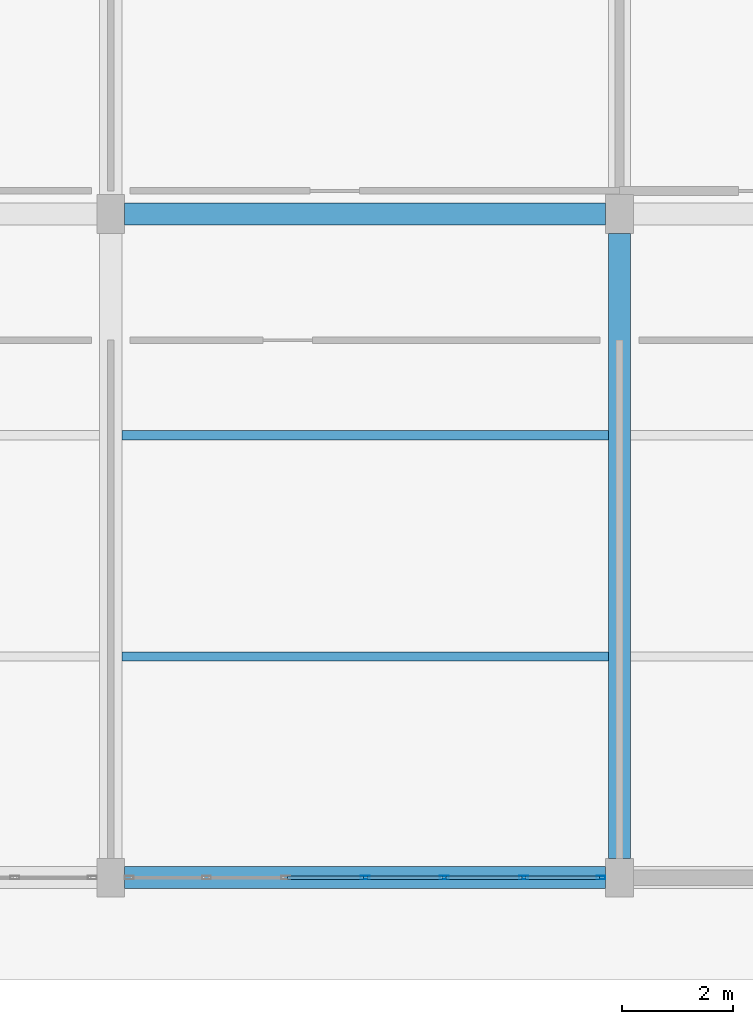
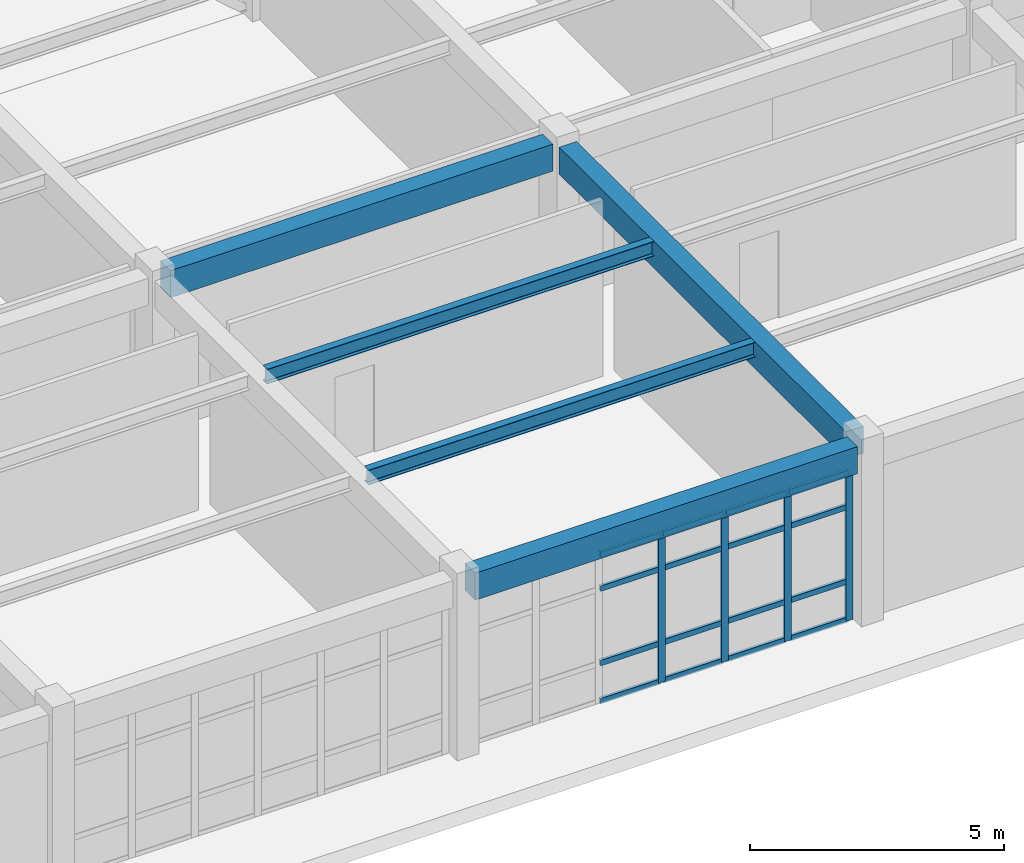
# One storey, part 34 of 154: 20 members, 5 beams, 1 element without a shape of its own.
"""IFC4 building model written with IfcOpenShell, lengths in metres."""

from ifc_helpers import new_model, si_unit, direction, frame, origin, origin_2d, place, context, subcontext, project, spatial, rectangle, hollow_rectangle, i_section, extrude, material, material_profile, profile_set, type_object, element, aggregate, save


model = new_model("IFC4")

# Units and contexts
model_context = context("Model", 3, precision=1e-05, world=origin(), true_north=direction((0.0, 1.0)))
body_context = subcontext(model_context, "Body", "Model", "MODEL_VIEW")
ifc_project = project(units=[si_unit("LENGTHUNIT", "METRE"), si_unit("AREAUNIT", "SQUARE_METRE"), si_unit("VOLUMEUNIT", "CUBIC_METRE"), si_unit("PLANEANGLEUNIT", "RADIAN"), si_unit("MASSUNIT", "GRAM", prefix="KILO")], contexts=[model_context])

# Site, building, storey
site_placement = place(None, origin())
site = spatial("IfcSite", under=ifc_project, at=site_placement, CompositionType="ELEMENT")
building_placement = place(site_placement, origin())
building = spatial("IfcBuilding", under=site, at=building_placement, Name="Kestramere Prow Commons", CompositionType="ELEMENT")
storey_placement = place(building_placement, origin())
storey = spatial("IfcBuildingStorey", under=building, at=storey_placement, Name="L00", CompositionType="ELEMENT", Elevation=0.0)

# Beams
ifc_material_1 = material(Name="Precast concrete C40/50", Category="concrete")
ifc_material_profile_1 = material_profile(ifc_material_1, rectangle(XDim=0.39990234375, YDim=0.64990234375, at=origin_2d()), Name="PC-BM 400x650")
ifc_profile_set_1 = profile_set([ifc_material_profile_1], Name="Precast concrete C40/50")
beam_type_1 = type_object("IfcBeamType", Name="BM-MK-01 PC-BM 400x650", PredefinedType="BEAM", material=ifc_profile_set_1)
beam_1_placement = place(storey_placement, frame((85.25, 12.0, 3.925048828125), z_axis=(1.0, 0.0, 0.0), x_axis=(0.0, 1.0, 0.0)))
element("IfcBeam", 1, at=beam_1_placement, inside=storey, type_object=beam_type_1, Name="Market Spine L00 Beam X 2-4", PredefinedType="BEAM", context=body_context, shape_type="SweptSolid", body=[
    extrude(rectangle(XDim=0.39990234375, YDim=0.64990234375, at=origin_2d()), origin(), (0.0, 0.0, 1.0), 8.699951171875),
])
beam_2_placement = place(storey_placement, frame((94.199951171875, 0.35009765625, 3.925048828125), z_axis=(0.0, 1.0, 0.0), x_axis=(-1.0, 0.0, 0.0)))
element("IfcBeam", 2, at=beam_2_placement, inside=storey, type_object=beam_type_1, Name="Market Spine L00 Beam Y 5-1", PredefinedType="BEAM", context=body_context, shape_type="SweptSolid", body=[
    extrude(rectangle(XDim=0.39990234375, YDim=0.64990234375, at=origin_2d()), origin(), (0.0, 0.0, 1.0), 11.2998046875),
])
ifc_material_profile_2 = material_profile(ifc_material_1, rectangle(XDim=0.39990234375, YDim=0.64990234375, at=origin_2d()), Name="PC-BM 400x650")
ifc_profile_set_2 = profile_set([ifc_material_profile_2], Name="Precast concrete C40/50")
beam_type_2 = type_object("IfcBeamType", Name="BM-MK-01 PC-BM 400x650 (EX)", PredefinedType="BEAM", material=ifc_profile_set_2)
beam_3_placement = place(storey_placement, frame((85.25, 0.0, 3.925048828125), z_axis=(1.0, 0.0, 0.0), x_axis=(0.0, 1.0, 0.0)))
element("IfcBeam", 3, at=beam_3_placement, inside=storey, type_object=beam_type_2, Name="Market Spine L00 Beam X 1-4", PredefinedType="BEAM", context=body_context, shape_type="SweptSolid", body=[
    extrude(rectangle(XDim=0.39990234375, YDim=0.64990234375, at=origin_2d()), origin(), (0.0, 0.0, 1.0), 8.699951171875),
])

# Curtain wall, members
ifc_material_2 = material(Name="Anodised Aluminium and Low-E Glass", Category="aluminium")
curtain_wall_type = type_object("IfcCurtainWallType", Name="CW-21 Glazed Curtain Wall 8600x3590", PredefinedType="USERDEFINED", material=ifc_material_2)
curtain_wall_placement = place(storey_placement, origin())
curtain_wall = element("IfcCurtainWall", 4, at=curtain_wall_placement, inside=storey, type_object=curtain_wall_type, Name="Market L00 South Shopfront 4", ObjectType="GLAZED CURTAIN WALL", PredefinedType="USERDEFINED")
ifc_material_3 = material(Name="Anodised Aluminium 6063-T6", Category="aluminium")
ifc_material_profile_3 = material_profile(ifc_material_3, hollow_rectangle(XDim=0.06494140625, YDim=0.159912109375, WallThickness=0.00390625, at=origin_2d()), Name="ALU-MUL 65x160")
ifc_profile_set_3 = profile_set([ifc_material_profile_3], Name="Anodised Aluminium 6063-T6")
member_type_1 = type_object("IfcMemberType", Name="CW-MUL-65x160", PredefinedType="MULLION", material=ifc_profile_set_3)
member_1_placement = place(storey_placement, frame((93.867431640625, 0.0, 0.0), z_axis=(0.0, 0.0, 1.0), x_axis=(0.0, -1.0, 0.0)))
member_1 = element("IfcMember", 5, at=member_1_placement, type_object=member_type_1, Name="CW-21 mullion 1", PredefinedType="MULLION", context=body_context, shape_type="SweptSolid", body=[
    extrude(hollow_rectangle(XDim=0.06494140625, YDim=0.159912109375, WallThickness=0.00390625, at=origin_2d()), origin(), (0.0, 0.0, 1.0), 3.590087890625),
])
member_2_placement = place(storey_placement, frame((92.466552734375, 0.0, 0.0), z_axis=(0.0, 0.0, 1.0), x_axis=(0.0, -1.0, 0.0)))
member_2 = element("IfcMember", 6, at=member_2_placement, type_object=member_type_1, Name="CW-21 mullion 2", PredefinedType="MULLION", context=body_context, shape_type="SweptSolid", body=[
    extrude(hollow_rectangle(XDim=0.06494140625, YDim=0.159912109375, WallThickness=0.00390625, at=origin_2d()), origin(), (0.0, 0.0, 1.0), 3.590087890625),
])
member_3_placement = place(storey_placement, frame((91.033447265625, 0.0, 0.0), z_axis=(0.0, 0.0, 1.0), x_axis=(0.0, -1.0, 0.0)))
member_3 = element("IfcMember", 7, at=member_3_placement, type_object=member_type_1, Name="CW-21 mullion 3", PredefinedType="MULLION", context=body_context, shape_type="SweptSolid", body=[
    extrude(hollow_rectangle(XDim=0.06494140625, YDim=0.159912109375, WallThickness=0.00390625, at=origin_2d()), origin(), (0.0, 0.0, 1.0), 3.590087890625),
])
member_4_placement = place(storey_placement, frame((89.60009765625, 0.0, 0.0), z_axis=(0.0, 0.0, 1.0), x_axis=(0.0, -1.0, 0.0)))
member_4 = element("IfcMember", 8, at=member_4_placement, type_object=member_type_1, Name="CW-21 mullion 4", PredefinedType="MULLION", context=body_context, shape_type="SweptSolid", body=[
    extrude(hollow_rectangle(XDim=0.06494140625, YDim=0.159912109375, WallThickness=0.00390625, at=origin_2d()), origin(), (0.0, 0.0, 1.0), 3.590087890625),
])
ifc_material_profile_4 = material_profile(ifc_material_3, hollow_rectangle(XDim=0.06494140625, YDim=0.1298828125, WallThickness=0.00390625, at=origin_2d()), Name="ALU-TRN 65x130")
ifc_profile_set_4 = profile_set([ifc_material_profile_4], Name="Anodised Aluminium 6063-T6")
member_type_2 = type_object("IfcMemberType", Name="CW-TRN-65x130", PredefinedType="USERDEFINED", material=ifc_profile_set_4)
member_5_placement = place(storey_placement, frame((93.8349609375, 0.0, 0.032470703125), z_axis=(-1.0, 0.0, 0.0), x_axis=(0.0, -1.0, 0.0)))
member_5 = element("IfcMember", 9, at=member_5_placement, type_object=member_type_2, Name="CW-21 transom 1.1", ObjectType="TRANSOM", PredefinedType="USERDEFINED", context=body_context, shape_type="SweptSolid", body=[
    extrude(hollow_rectangle(XDim=0.06494140625, YDim=0.1298828125, WallThickness=0.00390625, at=origin_2d()), origin(), (0.0, 0.0, 1.0), 1.335693359375),
])
member_6_placement = place(storey_placement, frame((93.8349609375, 0.0, 0.949951171875), z_axis=(-1.0, 0.0, 0.0), x_axis=(0.0, -1.0, 0.0)))
member_6 = element("IfcMember", 10, at=member_6_placement, type_object=member_type_2, Name="CW-21 transom 1.2", ObjectType="TRANSOM", PredefinedType="USERDEFINED", context=body_context, shape_type="SweptSolid", body=[
    extrude(hollow_rectangle(XDim=0.06494140625, YDim=0.1298828125, WallThickness=0.00390625, at=origin_2d()), origin(), (0.0, 0.0, 1.0), 1.335693359375),
])
member_7_placement = place(storey_placement, frame((93.8349609375, 0.0, 2.739990234375), z_axis=(-1.0, 0.0, 0.0), x_axis=(0.0, -1.0, 0.0)))
member_7 = element("IfcMember", 11, at=member_7_placement, type_object=member_type_2, Name="CW-21 transom 1.3", ObjectType="TRANSOM", PredefinedType="USERDEFINED", context=body_context, shape_type="SweptSolid", body=[
    extrude(hollow_rectangle(XDim=0.06494140625, YDim=0.1298828125, WallThickness=0.00390625, at=origin_2d()), origin(), (0.0, 0.0, 1.0), 1.335693359375),
])
member_8_placement = place(storey_placement, frame((93.8349609375, 0.0, 3.5576171875), z_axis=(-1.0, 0.0, 0.0), x_axis=(0.0, -1.0, 0.0)))
member_8 = element("IfcMember", 12, at=member_8_placement, type_object=member_type_2, Name="CW-21 transom 1.4", ObjectType="TRANSOM", PredefinedType="USERDEFINED", context=body_context, shape_type="SweptSolid", body=[
    extrude(hollow_rectangle(XDim=0.06494140625, YDim=0.1298828125, WallThickness=0.00390625, at=origin_2d()), origin(), (0.0, 0.0, 1.0), 1.335693359375),
])
member_9_placement = place(storey_placement, frame((92.43408203125, 0.0, 0.032470703125), z_axis=(-1.0, 0.0, 0.0), x_axis=(0.0, -1.0, 0.0)))
member_9 = element("IfcMember", 13, at=member_9_placement, type_object=member_type_2, Name="CW-21 transom 2.1", ObjectType="TRANSOM", PredefinedType="USERDEFINED", context=body_context, shape_type="SweptSolid", body=[
    extrude(hollow_rectangle(XDim=0.06494140625, YDim=0.1298828125, WallThickness=0.00390625, at=origin_2d()), origin(), (0.0, 0.0, 1.0), 1.3681640625),
])
member_10_placement = place(storey_placement, frame((92.43408203125, 0.0, 0.949951171875), z_axis=(-1.0, 0.0, 0.0), x_axis=(0.0, -1.0, 0.0)))
member_10 = element("IfcMember", 14, at=member_10_placement, type_object=member_type_2, Name="CW-21 transom 2.2", ObjectType="TRANSOM", PredefinedType="USERDEFINED", context=body_context, shape_type="SweptSolid", body=[
    extrude(hollow_rectangle(XDim=0.06494140625, YDim=0.1298828125, WallThickness=0.00390625, at=origin_2d()), origin(), (0.0, 0.0, 1.0), 1.3681640625),
])
member_11_placement = place(storey_placement, frame((92.43408203125, 0.0, 2.739990234375), z_axis=(-1.0, 0.0, 0.0), x_axis=(0.0, -1.0, 0.0)))
member_11 = element("IfcMember", 15, at=member_11_placement, type_object=member_type_2, Name="CW-21 transom 2.3", ObjectType="TRANSOM", PredefinedType="USERDEFINED", context=body_context, shape_type="SweptSolid", body=[
    extrude(hollow_rectangle(XDim=0.06494140625, YDim=0.1298828125, WallThickness=0.00390625, at=origin_2d()), origin(), (0.0, 0.0, 1.0), 1.3681640625),
])
member_12_placement = place(storey_placement, frame((92.43408203125, 0.0, 3.5576171875), z_axis=(-1.0, 0.0, 0.0), x_axis=(0.0, -1.0, 0.0)))
member_12 = element("IfcMember", 16, at=member_12_placement, type_object=member_type_2, Name="CW-21 transom 2.4", ObjectType="TRANSOM", PredefinedType="USERDEFINED", context=body_context, shape_type="SweptSolid", body=[
    extrude(hollow_rectangle(XDim=0.06494140625, YDim=0.1298828125, WallThickness=0.00390625, at=origin_2d()), origin(), (0.0, 0.0, 1.0), 1.3681640625),
])
member_13_placement = place(storey_placement, frame((91.000732421875, 0.0, 0.032470703125), z_axis=(-1.0, 0.0, 0.0), x_axis=(0.0, -1.0, 0.0)))
member_13 = element("IfcMember", 17, at=member_13_placement, type_object=member_type_2, Name="CW-21 transom 3.1", ObjectType="TRANSOM", PredefinedType="USERDEFINED", context=body_context, shape_type="SweptSolid", body=[
    extrude(hollow_rectangle(XDim=0.06494140625, YDim=0.1298828125, WallThickness=0.00390625, at=origin_2d()), origin(), (0.0, 0.0, 1.0), 1.3681640625),
])
member_14_placement = place(storey_placement, frame((91.000732421875, 0.0, 0.949951171875), z_axis=(-1.0, 0.0, 0.0), x_axis=(0.0, -1.0, 0.0)))
member_14 = element("IfcMember", 18, at=member_14_placement, type_object=member_type_2, Name="CW-21 transom 3.2", ObjectType="TRANSOM", PredefinedType="USERDEFINED", context=body_context, shape_type="SweptSolid", body=[
    extrude(hollow_rectangle(XDim=0.06494140625, YDim=0.1298828125, WallThickness=0.00390625, at=origin_2d()), origin(), (0.0, 0.0, 1.0), 1.3681640625),
])
member_15_placement = place(storey_placement, frame((91.000732421875, 0.0, 2.739990234375), z_axis=(-1.0, 0.0, 0.0), x_axis=(0.0, -1.0, 0.0)))
member_15 = element("IfcMember", 19, at=member_15_placement, type_object=member_type_2, Name="CW-21 transom 3.3", ObjectType="TRANSOM", PredefinedType="USERDEFINED", context=body_context, shape_type="SweptSolid", body=[
    extrude(hollow_rectangle(XDim=0.06494140625, YDim=0.1298828125, WallThickness=0.00390625, at=origin_2d()), origin(), (0.0, 0.0, 1.0), 1.3681640625),
])
member_16_placement = place(storey_placement, frame((91.000732421875, 0.0, 3.5576171875), z_axis=(-1.0, 0.0, 0.0), x_axis=(0.0, -1.0, 0.0)))
member_16 = element("IfcMember", 20, at=member_16_placement, type_object=member_type_2, Name="CW-21 transom 3.4", ObjectType="TRANSOM", PredefinedType="USERDEFINED", context=body_context, shape_type="SweptSolid", body=[
    extrude(hollow_rectangle(XDim=0.06494140625, YDim=0.1298828125, WallThickness=0.00390625, at=origin_2d()), origin(), (0.0, 0.0, 1.0), 1.3681640625),
])
member_17_placement = place(storey_placement, frame((89.5673828125, 0.0, 0.032470703125), z_axis=(-1.0, 0.0, 0.0), x_axis=(0.0, -1.0, 0.0)))
member_17 = element("IfcMember", 21, at=member_17_placement, type_object=member_type_2, Name="CW-21 transom 4.1", ObjectType="TRANSOM", PredefinedType="USERDEFINED", context=body_context, shape_type="SweptSolid", body=[
    extrude(hollow_rectangle(XDim=0.06494140625, YDim=0.1298828125, WallThickness=0.00390625, at=origin_2d()), origin(), (0.0, 0.0, 1.0), 1.3681640625),
])
member_18_placement = place(storey_placement, frame((89.5673828125, 0.0, 0.949951171875), z_axis=(-1.0, 0.0, 0.0), x_axis=(0.0, -1.0, 0.0)))
member_18 = element("IfcMember", 22, at=member_18_placement, type_object=member_type_2, Name="CW-21 transom 4.2", ObjectType="TRANSOM", PredefinedType="USERDEFINED", context=body_context, shape_type="SweptSolid", body=[
    extrude(hollow_rectangle(XDim=0.06494140625, YDim=0.1298828125, WallThickness=0.00390625, at=origin_2d()), origin(), (0.0, 0.0, 1.0), 1.3681640625),
])
member_19_placement = place(storey_placement, frame((89.5673828125, 0.0, 2.739990234375), z_axis=(-1.0, 0.0, 0.0), x_axis=(0.0, -1.0, 0.0)))
member_19 = element("IfcMember", 23, at=member_19_placement, type_object=member_type_2, Name="CW-21 transom 4.3", ObjectType="TRANSOM", PredefinedType="USERDEFINED", context=body_context, shape_type="SweptSolid", body=[
    extrude(hollow_rectangle(XDim=0.06494140625, YDim=0.1298828125, WallThickness=0.00390625, at=origin_2d()), origin(), (0.0, 0.0, 1.0), 1.3681640625),
])
member_20_placement = place(storey_placement, frame((89.5673828125, 0.0, 3.5576171875), z_axis=(-1.0, 0.0, 0.0), x_axis=(0.0, -1.0, 0.0)))
member_20 = element("IfcMember", 24, at=member_20_placement, type_object=member_type_2, Name="CW-21 transom 4.4", ObjectType="TRANSOM", PredefinedType="USERDEFINED", context=body_context, shape_type="SweptSolid", body=[
    extrude(hollow_rectangle(XDim=0.06494140625, YDim=0.1298828125, WallThickness=0.00390625, at=origin_2d()), origin(), (0.0, 0.0, 1.0), 1.3681640625),
])
aggregate(curtain_wall, [member_1, member_2, member_3, member_4, member_5, member_6, member_7, member_8, member_9, member_10, member_11, member_12, member_13, member_14, member_15, member_16, member_17, member_18, member_19, member_20])

# Beams
ifc_material_4 = material(Name="Steel S355JR", Category="steel")
ifc_material_profile_5 = material_profile(ifc_material_4, i_section(OverallWidth=0.17138671875, OverallDepth=0.35498046875, WebThickness=0.00732421875, FlangeThickness=0.011474609375, FilletRadius=0.01025390625, at=origin_2d()), Name="UB 356x171x51")
ifc_profile_set_5 = profile_set([ifc_material_profile_5], Name="Steel S355JR")
beam_type_3 = type_object("IfcBeamType", Name="JST-MK-01 UB 356x171x51", PredefinedType="JOIST", material=ifc_profile_set_5)
for number, where, z_axis, x_axis, name in (
    (25, (85.199951171875, 4.0, 4.072509765625), (1.0, 0.0, 0.0), (0.0, 1.0, 0.0), "Market Spine L00 Secondary Joist 4-4"),
    (26, (85.199951171875, 8.0, 4.072509765625), (1.0, 0.0, 0.0), (0.0, 1.0, 0.0), "Market Spine L00 Secondary Joist 4-8"),
):
    element("IfcBeam", number, at=place(storey_placement, frame(where, z_axis=z_axis, x_axis=x_axis)), inside=storey, type_object=beam_type_3, Name=name, PredefinedType="JOIST", context=body_context, shape_type="SweptSolid", body=[
        extrude(i_section(OverallWidth=0.17138671875, OverallDepth=0.35498046875, WebThickness=0.00732421875, FlangeThickness=0.011474609375, FilletRadius=0.01025390625, at=origin_2d()), origin(), (0.0, 0.0, 1.0), 8.800048828125),
    ])

save(model, "model.ifc")
